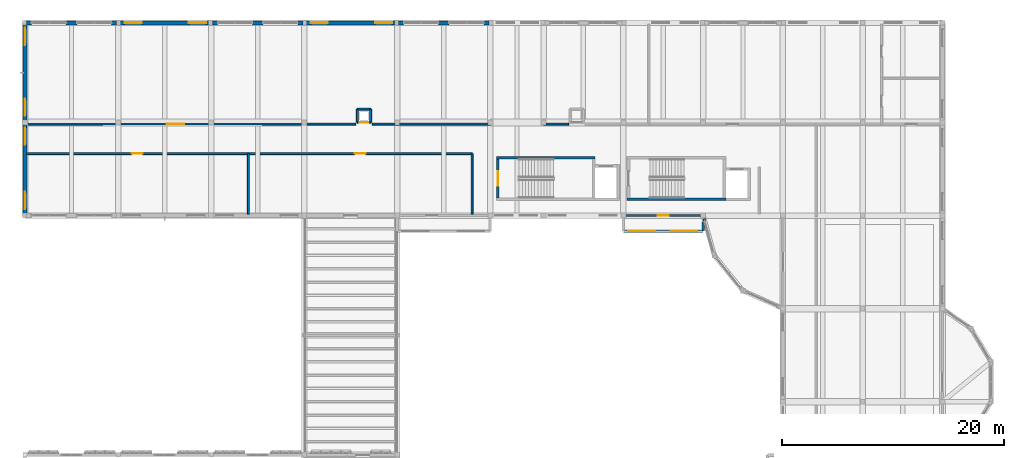
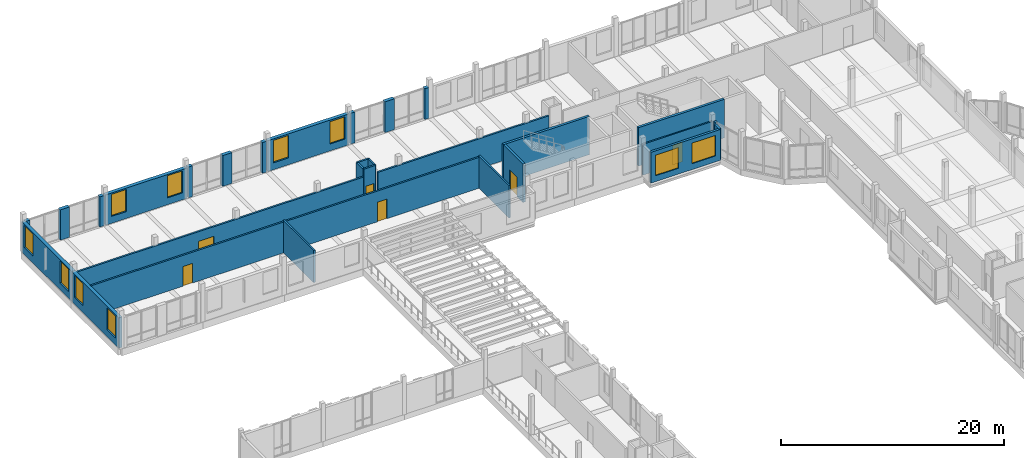
# One storey, part 71 of 99: 30 walls, 10 windows, 6 doors, 16 openings.
"""IFC4 building model written with IfcOpenShell, lengths in metres."""

from ifc_helpers import new_model, si_unit, direction, frame, frame_2d, origin, place, context, subcontext, project, spatial, rectangle, extrude, material, layer, layer_set, type_object, element, fill, save


model = new_model("IFC4")

# Units and contexts
model_context = context("Model", 3, precision=1e-05, world=origin(), true_north=direction((0.0, 1.0)))
body_context = subcontext(model_context, "Body", "Model", "MODEL_VIEW")
ifc_project = project(units=[si_unit("LENGTHUNIT", "METRE"), si_unit("AREAUNIT", "SQUARE_METRE"), si_unit("VOLUMEUNIT", "CUBIC_METRE"), si_unit("PLANEANGLEUNIT", "RADIAN"), si_unit("MASSUNIT", "GRAM", prefix="KILO")], contexts=[model_context])

# Site, building, storey
site_placement = place(None, origin())
site = spatial("IfcSite", under=ifc_project, at=site_placement, CompositionType="ELEMENT")
building_placement = place(site_placement, origin())
building = spatial("IfcBuilding", under=site, at=building_placement, Name="Kahlenmark Community Centre", CompositionType="ELEMENT")
storey_placement = place(building_placement, frame((0.0, 0.0, 5.39990234375)))
storey = spatial("IfcBuildingStorey", under=building, at=storey_placement, Name="L01", CompositionType="ELEMENT", Elevation=5.39990234375)

# Wall, opening, door
ifc_material_1 = material(Name="Concrete C35/45", Category="concrete")
ifc_layer_1 = layer(ifc_material_1, 0.25)
ifc_layer_set_1 = layer_set([ifc_layer_1], Name="Concrete C35/45")
wall_type_1 = type_object("IfcWallType", Name="WT-CORE-250", PredefinedType="SHEAR", material=ifc_layer_set_1)
wall_1_placement = place(storey_placement, frame((46.675048828125, 102.699951171875, 0.0), z_axis=(0.0, 0.0, 1.0), x_axis=(0.0, -1.0, 0.0)))
wall_1 = element("IfcWall", 1, at=wall_1_placement, inside=storey, type_object=wall_type_1, Name="Core K4 shear wall WL-CORE-K4-L01-0113", PredefinedType="SHEAR", context=body_context, shape_type="SweptSolid", body=[
    extrude(rectangle(XDim=3.5, YDim=0.25, at=frame_2d((1.75, 0.0))), origin(), (0.0, 0.0, 1.0), 4.2001953125),
])
opening_1_placement = place(wall_1_placement, frame((1.10009765625, 0.0, -0.010009765625)))
opening_1 = element("IfcOpeningElement", 2, at=opening_1_placement, cuts=wall_1, Name="Opening FD-K4-L01", PredefinedType="OPENING", context=body_context, shape_type="SweptSolid", body=[
    extrude(rectangle(XDim=1.300048828125, YDim=2.159912109375, at=frame_2d((0.64990234375, 1.080078125))), frame((0.0, 0.135009765625, 0.0), z_axis=(0.0, -1.0, 0.0), x_axis=(1.0, 0.0, 0.0)), (0.0, 0.0, 1.0), 0.27001953125),
])
ifc_material_2 = material(Name="Fire-rated steel-framed timber door FD60S", Category="steel")
door_type_1 = type_object("IfcDoorType", Name="DT-FD-K4-L01", OperationType="NOTDEFINED", PredefinedType="DOOR", material=ifc_material_2)
door_1_placement = place(opening_1_placement, frame((0.0, 0.0, 0.010009765625)))
door_1 = element("IfcDoor", 3, at=door_1_placement, inside=storey, type_object=door_type_1, Name="Core K4 stair fire door L01", OperationType="SINGLE_SWING_RIGHT", OverallHeight=2.14990234375, OverallWidth=1.300048828125, PredefinedType="DOOR", context=body_context, shape_type="SweptSolid", body=[
    extrude(rectangle(XDim=1.300048828125, YDim=2.14990234375, at=frame_2d((0.64990234375, 1.074951171875))), frame((0.0, 0.02490234375, 0.0), z_axis=(0.0, -1.0, 0.0), x_axis=(1.0, 0.0, 0.0)), (0.0, 0.0, 1.0), 0.050048828125),
])
fill(opening_1, door_1)

# Walls
for number, where, z_axis, x_axis, name in (
    (4, (46.550048828125, 102.824951171875, 0.0), (0.0, 0.0, 1.0), (1.0, 0.0, 0.0), "Core K4 shear wall WL-CORE-K4-L01-0115"),
    (5, (58.35009765625, 99.074951171875, 0.0), (0.0, 0.0, 1.0), (1.0, 0.0, 0.0), "Core K5 shear wall WL-CORE-K5-L01-0163"),
):
    element("IfcWall", number, at=place(storey_placement, frame(where, z_axis=z_axis, x_axis=x_axis)), inside=storey, type_object=wall_type_1, Name=name, PredefinedType="SHEAR", context=body_context, shape_type="SweptSolid", body=[
        extrude(rectangle(XDim=8.89990234375, YDim=0.25, at=frame_2d((4.449951171875, 0.0))), origin(), (0.0, 0.0, 1.0), 4.2001953125),
    ])
ifc_material_3 = material(Name="Cross-laminated timber CLT C24", Category="wood")
ifc_layer_2 = layer(ifc_material_3, 0.239990234375)
ifc_layer_set_2 = layer_set([ifc_layer_2], Name="Cross-laminated timber CLT C24")
wall_type_2 = type_object("IfcWallType", Name="WT-EW-240", PredefinedType="SOLIDWALL", material=ifc_layer_set_2)
wall_2_placement = place(storey_placement, frame((65.27490234375, 97.330078125, 0.0), z_axis=(0.0, 0.0, 1.0), x_axis=(0.267529355044, -0.963549710285, 0.0)))
element("IfcWall", 6, at=wall_2_placement, inside=storey, type_object=wall_type_2, Name="Rotunda pier closure 0774", PredefinedType="SOLIDWALL", context=body_context, shape_type="SweptSolid", body=[
    extrude(rectangle(XDim=0.219970703125, YDim=0.239990234375, at=frame_2d((0.10986328125, 0.0))), origin(), (0.0, 0.0, 1.0), 3.52001953125),
])

# Wall, openings, windows
wall_3_placement = place(storey_placement, frame((58.0, 96.199951171875, 0.0), z_axis=(0.0, 0.0, 1.0), x_axis=(1.0, 0.0, 0.0)))
wall_3 = element("IfcWall", 7, at=wall_3_placement, inside=storey, type_object=wall_type_2, Name="Bay oriel wall WL-ORI-L01-0833", PredefinedType="SOLIDWALL", context=body_context, shape_type="SweptSolid", body=[
    extrude(rectangle(XDim=7.199951171875, YDim=0.239990234375, at=frame_2d((3.60009765625, 0.0))), origin(), (0.0, 0.0, 1.0), 3.3701171875),
])
opening_2_placement = place(wall_3_placement, frame((0.4599609375, 0.0, 0.64990234375)))
opening_2 = element("IfcOpeningElement", 8, at=opening_2_placement, cuts=wall_3, Name="Opening W-240X225", PredefinedType="OPENING", context=body_context, shape_type="SweptSolid", body=[
    extrude(rectangle(XDim=2.39990234375, YDim=2.25, at=frame_2d((1.199951171875, 1.125))), frame((0.0, 0.1298828125, 0.0), z_axis=(0.0, -1.0, 0.0), x_axis=(1.0, 0.0, 0.0)), (0.0, 0.0, 1.0), 0.260009765625),
])
opening_3_placement = place(wall_3_placement, frame((4.260009765625, 0.0, 0.64990234375)))
opening_3 = element("IfcOpeningElement", 9, at=opening_3_placement, cuts=wall_3, Name="Opening W-240X225", PredefinedType="OPENING", context=body_context, shape_type="SweptSolid", body=[
    extrude(rectangle(XDim=2.39990234375, YDim=2.25, at=frame_2d((1.199951171875, 1.125))), frame((0.0, 0.1298828125, 0.0), z_axis=(0.0, -1.0, 0.0), x_axis=(1.0, 0.0, 0.0)), (0.0, 0.0, 1.0), 0.260009765625),
])
ifc_material_4 = material(Name="Triple low-e insulated glazing in timber-aluminium frame", Category="wood")
window_type_1 = type_object("IfcWindowType", Name="WNT-240X225", PartitioningType="TRIPLE_PANEL_VERTICAL", PredefinedType="WINDOW", material=ifc_material_4)
window_1_placement = place(opening_2_placement, origin())
window_1 = element("IfcWindow", 10, at=window_1_placement, inside=storey, type_object=window_type_1, Name="Window W-240X225 #0519", OverallHeight=2.25, OverallWidth=2.39990234375, PartitioningType="TRIPLE_PANEL_VERTICAL", PredefinedType="WINDOW", context=body_context, shape_type="SweptSolid", body=[
    extrude(rectangle(XDim=2.39990234375, YDim=2.25, at=frame_2d((1.199951171875, 1.125))), frame((0.0, 0.030029296875, 0.0), z_axis=(0.0, -1.0, 0.0), x_axis=(1.0, 0.0, 0.0)), (0.0, 0.0, 1.0), 0.06005859375),
])
fill(opening_2, window_1)
window_2_placement = place(opening_3_placement, origin())
window_2 = element("IfcWindow", 11, at=window_2_placement, inside=storey, type_object=window_type_1, Name="Window W-240X225 #0520", OverallHeight=2.25, OverallWidth=2.39990234375, PartitioningType="TRIPLE_PANEL_VERTICAL", PredefinedType="WINDOW", context=body_context, shape_type="SweptSolid", body=[
    extrude(rectangle(XDim=2.39990234375, YDim=2.25, at=frame_2d((1.199951171875, 1.125))), frame((0.0, 0.030029296875, 0.0), z_axis=(0.0, -1.0, 0.0), x_axis=(1.0, 0.0, 0.0)), (0.0, 0.0, 1.0), 0.06005859375),
])
fill(opening_3, window_2)

# Walls
wall_4_placement = place(storey_placement, frame((65.199951171875, 96.199951171875, 0.0), z_axis=(0.0, 0.0, 1.0), x_axis=(0.0, 1.0, 0.0)))
element("IfcWall", 12, at=wall_4_placement, inside=storey, type_object=wall_type_2, Name="Bay oriel wall WL-ORI-L01-0834", PredefinedType="SOLIDWALL", context=body_context, shape_type="SweptSolid", body=[
    extrude(rectangle(XDim=0.820068359375, YDim=0.239990234375, at=frame_2d((0.41015625, 0.0))), origin(), (0.0, 0.0, 1.0), 3.3701171875),
])
ifc_material_5 = material(Name="Danube limestone masonry", Category="masonry")
ifc_layer_3 = layer(ifc_material_5, 0.360107421875)
ifc_layer_set_3 = layer_set([ifc_layer_3], Name="Danube limestone masonry")
wall_type_3 = type_object("IfcWallType", Name="WT-EW-360", PredefinedType="SOLIDWALL", material=ifc_layer_set_3)
wall_5_placement = place(storey_placement, frame((8.679931640625, 115.0, 0.0), z_axis=(0.0, 0.0, 1.0), x_axis=(-1.0, 0.0, 0.0)))
element("IfcWall", 13, at=wall_5_placement, inside=storey, type_object=wall_type_3, Name="Postmodern limestone pier 0328", PredefinedType="SOLIDWALL", context=body_context, shape_type="SweptSolid", body=[
    extrude(rectangle(XDim=0.9599609375, YDim=0.360107421875, at=frame_2d((0.47998046875, 0.0))), origin(), (0.0, 0.0, 1.0), 3.31005859375),
])
wall_6_placement = place(storey_placement, frame((12.27001953125, 115.0, 0.0), z_axis=(0.0, 0.0, 1.0), x_axis=(-1.0, 0.0, 0.0)))
element("IfcWall", 14, at=wall_6_placement, inside=storey, type_object=wall_type_3, Name="Column closure pier 0329", PredefinedType="SOLIDWALL", context=body_context, shape_type="SweptSolid", body=[
    extrude(rectangle(XDim=0.449951171875, YDim=0.360107421875, at=frame_2d((0.22509765625, 0.0))), origin(), (0.0, 0.0, 1.0), 3.31005859375),
])
wall_7_placement = place(storey_placement, frame((4.580078125, 115.0, 0.0), z_axis=(0.0, 0.0, 1.0), x_axis=(-1.0, 0.0, 0.0)))
element("IfcWall", 15, at=wall_7_placement, inside=storey, type_object=wall_type_3, Name="Column closure pier 0330", PredefinedType="SOLIDWALL", context=body_context, shape_type="SweptSolid", body=[
    extrude(rectangle(XDim=0.4501953125, YDim=0.360107421875, at=frame_2d((0.22509765625, 0.0))), origin(), (0.0, 0.0, 1.0), 3.31005859375),
])

# Wall, openings, windows
wall_8_placement = place(storey_placement, frame((20.800048828125, 115.0, 0.0), z_axis=(0.0, 0.0, 1.0), x_axis=(-1.0, 0.0, 0.0)))
wall_8 = element("IfcWall", 16, at=wall_8_placement, inside=storey, type_object=wall_type_3, Name="Exterior wall WL-EXT-L01-0331", PredefinedType="SOLIDWALL", context=body_context, shape_type="SweptSolid", body=[
    extrude(rectangle(XDim=8.400146484375, YDim=0.360107421875, at=frame_2d((4.2001953125, 0.0))), origin(), (0.0, 0.0, 1.0), 3.31005859375),
])
opening_4_placement = place(wall_8_placement, frame((0.4599609375, 0.0, 0.75)))
opening_4 = element("IfcOpeningElement", 17, at=opening_4_placement, cuts=wall_8, Name="Opening W-155X242", PredefinedType="OPENING", context=body_context, shape_type="SweptSolid", body=[
    extrude(rectangle(XDim=1.550048828125, YDim=2.419921875, at=frame_2d((0.77490234375, 1.2099609375))), frame((0.0, 0.18994140625, 0.0), z_axis=(0.0, -1.0, 0.0), x_axis=(1.0, 0.0, 0.0)), (0.0, 0.0, 1.0), 0.380126953125),
])
opening_5_placement = place(wall_8_placement, frame((6.260009765625, 0.0, 0.75)))
opening_5 = element("IfcOpeningElement", 18, at=opening_5_placement, cuts=wall_8, Name="Opening W-155X242", PredefinedType="OPENING", context=body_context, shape_type="SweptSolid", body=[
    extrude(rectangle(XDim=1.550048828125, YDim=2.419921875, at=frame_2d((0.77490234375, 1.2099609375))), frame((0.0, 0.18994140625, 0.0), z_axis=(0.0, -1.0, 0.0), x_axis=(1.0, 0.0, 0.0)), (0.0, 0.0, 1.0), 0.380126953125),
])
ifc_material_6 = material(Name="Deep-reveal limestone punched triple glazing", Category="masonry")
window_type_2 = type_object("IfcWindowType", Name="WNT-155X242", PartitioningType="DOUBLE_PANEL_HORIZONTAL", PredefinedType="WINDOW", material=ifc_material_6)
window_3_placement = place(opening_4_placement, origin())
window_3 = element("IfcWindow", 19, at=window_3_placement, inside=storey, type_object=window_type_2, Name="Window W-155X242 #0193", OverallHeight=2.419921875, OverallWidth=1.550048828125, PartitioningType="DOUBLE_PANEL_HORIZONTAL", PredefinedType="WINDOW", context=body_context, shape_type="SweptSolid", body=[
    extrude(rectangle(XDim=1.550048828125, YDim=2.419921875, at=frame_2d((0.77490234375, 1.2099609375))), frame((0.0, 0.030029296875, 0.0), z_axis=(0.0, -1.0, 0.0), x_axis=(1.0, 0.0, 0.0)), (0.0, 0.0, 1.0), 0.06005859375),
])
fill(opening_4, window_3)
window_4_placement = place(opening_5_placement, origin())
window_4 = element("IfcWindow", 20, at=window_4_placement, inside=storey, type_object=window_type_2, Name="Window W-155X242 #0194", OverallHeight=2.419921875, OverallWidth=1.550048828125, PartitioningType="DOUBLE_PANEL_HORIZONTAL", PredefinedType="WINDOW", context=body_context, shape_type="SweptSolid", body=[
    extrude(rectangle(XDim=1.550048828125, YDim=2.419921875, at=frame_2d((0.77490234375, 1.2099609375))), frame((0.0, 0.030029296875, 0.0), z_axis=(0.0, -1.0, 0.0), x_axis=(1.0, 0.0, 0.0)), (0.0, 0.0, 1.0), 0.06005859375),
])
fill(opening_5, window_4)

# Walls
wall_9_placement = place(storey_placement, frame((25.47998046875, 115.0, 0.0), z_axis=(0.0, 0.0, 1.0), x_axis=(-1.0, 0.0, 0.0)))
element("IfcWall", 21, at=wall_9_placement, inside=storey, type_object=wall_type_3, Name="Postmodern limestone pier 0332", PredefinedType="SOLIDWALL", context=body_context, shape_type="SweptSolid", body=[
    extrude(rectangle(XDim=0.9599609375, YDim=0.360107421875, at=frame_2d((0.47998046875, 0.0))), origin(), (0.0, 0.0, 1.0), 3.3701171875),
])
for number, where, z_axis, x_axis, name in (
    (22, (29.070068359375, 115.0, 0.0), (0.0, 0.0, 1.0), (-1.0, 0.0, 0.0), "Column closure pier 0333"),
    (23, (21.3798828125, 115.0, 0.0), (0.0, 0.0, 1.0), (-1.0, 0.0, 0.0), "Column closure pier 0334"),
):
    element("IfcWall", number, at=place(storey_placement, frame(where, z_axis=z_axis, x_axis=x_axis)), inside=storey, type_object=wall_type_3, Name=name, PredefinedType="SOLIDWALL", context=body_context, shape_type="SweptSolid", body=[
        extrude(rectangle(XDim=0.449951171875, YDim=0.360107421875, at=frame_2d((0.22509765625, 0.0))), origin(), (0.0, 0.0, 1.0), 3.3701171875),
    ])

# Wall, openings, windows
wall_10_placement = place(storey_placement, frame((37.60009765625, 115.0, 0.0), z_axis=(0.0, 0.0, 1.0), x_axis=(-1.0, 0.0, 0.0)))
wall_10 = element("IfcWall", 24, at=wall_10_placement, inside=storey, type_object=wall_type_3, Name="Exterior wall WL-EXT-L01-0335", PredefinedType="SOLIDWALL", context=body_context, shape_type="SweptSolid", body=[
    extrude(rectangle(XDim=8.400146484375, YDim=0.360107421875, at=frame_2d((4.2001953125, 0.0))), origin(), (0.0, 0.0, 1.0), 3.3701171875),
])
opening_6_placement = place(wall_10_placement, frame((0.4599609375, 0.0, 0.75)))
opening_6 = element("IfcOpeningElement", 25, at=opening_6_placement, cuts=wall_10, Name="Opening W-155X245", PredefinedType="OPENING", context=body_context, shape_type="SweptSolid", body=[
    extrude(rectangle(XDim=1.550048828125, YDim=2.449951171875, at=frame_2d((0.77490234375, 1.22509765625))), frame((0.0, 0.18994140625, 0.0), z_axis=(0.0, -1.0, 0.0), x_axis=(1.0, 0.0, 0.0)), (0.0, 0.0, 1.0), 0.380126953125),
])
opening_7_placement = place(wall_10_placement, frame((6.260009765625, 0.0, 0.75)))
opening_7 = element("IfcOpeningElement", 26, at=opening_7_placement, cuts=wall_10, Name="Opening W-155X245", PredefinedType="OPENING", context=body_context, shape_type="SweptSolid", body=[
    extrude(rectangle(XDim=1.550048828125, YDim=2.449951171875, at=frame_2d((0.77490234375, 1.22509765625))), frame((0.0, 0.18994140625, 0.0), z_axis=(0.0, -1.0, 0.0), x_axis=(1.0, 0.0, 0.0)), (0.0, 0.0, 1.0), 0.380126953125),
])
window_type_3 = type_object("IfcWindowType", Name="WNT-155X245", PartitioningType="DOUBLE_PANEL_HORIZONTAL", PredefinedType="WINDOW", material=ifc_material_6)
window_5_placement = place(opening_6_placement, origin())
window_5 = element("IfcWindow", 27, at=window_5_placement, inside=storey, type_object=window_type_3, Name="Window W-155X245 #0195", OverallHeight=2.449951171875, OverallWidth=1.550048828125, PartitioningType="DOUBLE_PANEL_HORIZONTAL", PredefinedType="WINDOW", context=body_context, shape_type="SweptSolid", body=[
    extrude(rectangle(XDim=1.550048828125, YDim=2.449951171875, at=frame_2d((0.77490234375, 1.22509765625))), frame((0.0, 0.030029296875, 0.0), z_axis=(0.0, -1.0, 0.0), x_axis=(1.0, 0.0, 0.0)), (0.0, 0.0, 1.0), 0.06005859375),
])
fill(opening_6, window_5)
window_6_placement = place(opening_7_placement, origin())
window_6 = element("IfcWindow", 28, at=window_6_placement, inside=storey, type_object=window_type_3, Name="Window W-155X245 #0196", OverallHeight=2.449951171875, OverallWidth=1.550048828125, PartitioningType="DOUBLE_PANEL_HORIZONTAL", PredefinedType="WINDOW", context=body_context, shape_type="SweptSolid", body=[
    extrude(rectangle(XDim=1.550048828125, YDim=2.449951171875, at=frame_2d((0.77490234375, 1.22509765625))), frame((0.0, 0.030029296875, 0.0), z_axis=(0.0, -1.0, 0.0), x_axis=(1.0, 0.0, 0.0)), (0.0, 0.0, 1.0), 0.06005859375),
])
fill(opening_7, window_6)

# Walls
wall_11_placement = place(storey_placement, frame((42.280029296875, 115.0, 0.0), z_axis=(0.0, 0.0, 1.0), x_axis=(-1.0, 0.0, 0.0)))
element("IfcWall", 29, at=wall_11_placement, inside=storey, type_object=wall_type_3, Name="Postmodern limestone pier 0336", PredefinedType="SOLIDWALL", context=body_context, shape_type="SweptSolid", body=[
    extrude(rectangle(XDim=0.9599609375, YDim=0.360107421875, at=frame_2d((0.47998046875, 0.0))), origin(), (0.0, 0.0, 1.0), 3.3701171875),
])
wall_12_placement = place(storey_placement, frame((45.8701171875, 115.0, 0.0), z_axis=(0.0, 0.0, 1.0), x_axis=(-1.0, 0.0, 0.0)))
element("IfcWall", 30, at=wall_12_placement, inside=storey, type_object=wall_type_3, Name="Column closure pier 0337", PredefinedType="SOLIDWALL", context=body_context, shape_type="SweptSolid", body=[
    extrude(rectangle(XDim=0.4501953125, YDim=0.360107421875, at=frame_2d((0.22509765625, 0.0))), origin(), (0.0, 0.0, 1.0), 3.3701171875),
])
wall_13_placement = place(storey_placement, frame((38.179931640625, 115.0, 0.0), z_axis=(0.0, 0.0, 1.0), x_axis=(-1.0, 0.0, 0.0)))
element("IfcWall", 31, at=wall_13_placement, inside=storey, type_object=wall_type_3, Name="Column closure pier 0338", PredefinedType="SOLIDWALL", context=body_context, shape_type="SweptSolid", body=[
    extrude(rectangle(XDim=0.449951171875, YDim=0.360107421875, at=frame_2d((0.22509765625, 0.0))), origin(), (0.0, 0.0, 1.0), 3.3701171875),
])

# Wall, openings, windows
wall_14_placement = place(storey_placement, frame((4.0, 106.0, 0.0), z_axis=(0.0, 0.0, 1.0), x_axis=(0.0, -1.0, 0.0)))
wall_14 = element("IfcWall", 32, at=wall_14_placement, inside=storey, type_object=wall_type_3, Name="Exterior wall WL-EXT-L01-0349", PredefinedType="SOLIDWALL", context=body_context, shape_type="SweptSolid", body=[
    extrude(rectangle(XDim=8.39990234375, YDim=0.360107421875, at=frame_2d((4.199951171875, 0.0))), origin(), (0.0, 0.0, 1.0), 3.31005859375),
])
opening_8_placement = place(wall_14_placement, frame((0.4599609375, 0.0, 0.75)))
opening_8 = element("IfcOpeningElement", 33, at=opening_8_placement, cuts=wall_14, Name="Opening W-155X242", PredefinedType="OPENING", context=body_context, shape_type="SweptSolid", body=[
    extrude(rectangle(XDim=1.550048828125, YDim=2.419921875, at=frame_2d((0.77490234375, 1.2099609375))), frame((0.0, 0.18994140625, 0.0), z_axis=(0.0, -1.0, 0.0), x_axis=(1.0, 0.0, 0.0)), (0.0, 0.0, 1.0), 0.380126953125),
])
opening_9_placement = place(wall_14_placement, frame((6.260009765625, 0.0, 0.75)))
opening_9 = element("IfcOpeningElement", 34, at=opening_9_placement, cuts=wall_14, Name="Opening W-155X242", PredefinedType="OPENING", context=body_context, shape_type="SweptSolid", body=[
    extrude(rectangle(XDim=1.550048828125, YDim=2.419921875, at=frame_2d((0.77490234375, 1.2099609375))), frame((0.0, 0.18994140625, 0.0), z_axis=(0.0, -1.0, 0.0), x_axis=(1.0, 0.0, 0.0)), (0.0, 0.0, 1.0), 0.380126953125),
])
window_7_placement = place(opening_8_placement, origin())
window_7 = element("IfcWindow", 35, at=window_7_placement, inside=storey, type_object=window_type_2, Name="Window W-155X242 #0205", OverallHeight=2.419921875, OverallWidth=1.550048828125, PartitioningType="DOUBLE_PANEL_HORIZONTAL", PredefinedType="WINDOW", context=body_context, shape_type="SweptSolid", body=[
    extrude(rectangle(XDim=1.550048828125, YDim=2.419921875, at=frame_2d((0.77490234375, 1.2099609375))), frame((0.0, 0.030029296875, 0.0), z_axis=(0.0, -1.0, 0.0), x_axis=(1.0, 0.0, 0.0)), (0.0, 0.0, 1.0), 0.06005859375),
])
fill(opening_8, window_7)
window_8_placement = place(opening_9_placement, origin())
window_8 = element("IfcWindow", 36, at=window_8_placement, inside=storey, type_object=window_type_2, Name="Window W-155X242 #0206", OverallHeight=2.419921875, OverallWidth=1.550048828125, PartitioningType="DOUBLE_PANEL_HORIZONTAL", PredefinedType="WINDOW", context=body_context, shape_type="SweptSolid", body=[
    extrude(rectangle(XDim=1.550048828125, YDim=2.419921875, at=frame_2d((0.77490234375, 1.2099609375))), frame((0.0, 0.030029296875, 0.0), z_axis=(0.0, -1.0, 0.0), x_axis=(1.0, 0.0, 0.0)), (0.0, 0.0, 1.0), 0.06005859375),
])
fill(opening_9, window_8)

wall_15_placement = place(storey_placement, frame((4.0, 115.0, 0.0), z_axis=(0.0, 0.0, 1.0), x_axis=(0.0, -1.0, 0.0)))
wall_15 = element("IfcWall", 37, at=wall_15_placement, inside=storey, type_object=wall_type_3, Name="Exterior wall WL-EXT-L01-0350", PredefinedType="SOLIDWALL", context=body_context, shape_type="SweptSolid", body=[
    extrude(rectangle(XDim=9.0, YDim=0.360107421875, at=frame_2d((4.5, 0.0))), origin(), (0.0, 0.0, 1.0), 3.31005859375),
])
opening_10_placement = place(wall_15_placement, frame((0.4599609375, 0.0, 0.75)))
opening_10 = element("IfcOpeningElement", 38, at=opening_10_placement, cuts=wall_15, Name="Opening W-155X242", PredefinedType="OPENING", context=body_context, shape_type="SweptSolid", body=[
    extrude(rectangle(XDim=1.550048828125, YDim=2.419921875, at=frame_2d((0.77490234375, 1.2099609375))), frame((0.0, 0.18994140625, 0.0), z_axis=(0.0, -1.0, 0.0), x_axis=(1.0, 0.0, 0.0)), (0.0, 0.0, 1.0), 0.380126953125),
])
opening_11_placement = place(wall_15_placement, frame((6.860107421875, 0.0, 0.75)))
opening_11 = element("IfcOpeningElement", 39, at=opening_11_placement, cuts=wall_15, Name="Opening W-155X242", PredefinedType="OPENING", context=body_context, shape_type="SweptSolid", body=[
    extrude(rectangle(XDim=1.550048828125, YDim=2.419921875, at=frame_2d((0.77490234375, 1.2099609375))), frame((0.0, 0.18994140625, 0.0), z_axis=(0.0, -1.0, 0.0), x_axis=(1.0, 0.0, 0.0)), (0.0, 0.0, 1.0), 0.380126953125),
])
window_9_placement = place(opening_10_placement, origin())
window_9 = element("IfcWindow", 40, at=window_9_placement, inside=storey, type_object=window_type_2, Name="Window W-155X242 #0207", OverallHeight=2.419921875, OverallWidth=1.550048828125, PartitioningType="DOUBLE_PANEL_HORIZONTAL", PredefinedType="WINDOW", context=body_context, shape_type="SweptSolid", body=[
    extrude(rectangle(XDim=1.550048828125, YDim=2.419921875, at=frame_2d((0.77490234375, 1.2099609375))), frame((0.0, 0.030029296875, 0.0), z_axis=(0.0, -1.0, 0.0), x_axis=(1.0, 0.0, 0.0)), (0.0, 0.0, 1.0), 0.06005859375),
])
fill(opening_10, window_9)
window_10_placement = place(opening_11_placement, origin())
window_10 = element("IfcWindow", 41, at=window_10_placement, inside=storey, type_object=window_type_2, Name="Window W-155X242 #0208", OverallHeight=2.419921875, OverallWidth=1.550048828125, PartitioningType="DOUBLE_PANEL_HORIZONTAL", PredefinedType="WINDOW", context=body_context, shape_type="SweptSolid", body=[
    extrude(rectangle(XDim=1.550048828125, YDim=2.419921875, at=frame_2d((0.77490234375, 1.2099609375))), frame((0.0, 0.030029296875, 0.0), z_axis=(0.0, -1.0, 0.0), x_axis=(1.0, 0.0, 0.0)), (0.0, 0.0, 1.0), 0.06005859375),
])
fill(opening_11, window_10)

# Wall, opening, door
ifc_material_7 = material(Name="Gypsum plasterboard partition", Category="gypsum")
ifc_layer_4 = layer(ifc_material_7, 0.14990234375)
ifc_layer_set_4 = layer_set([ifc_layer_4], Name="Gypsum plasterboard partition")
wall_type_4 = type_object("IfcWallType", Name="WT-PW-150", PredefinedType="PARTITIONING", material=ifc_layer_set_4)
wall_16_placement = place(storey_placement, frame((58.0, 97.60009765625, 0.0), z_axis=(0.0, 0.0, 1.0), x_axis=(1.0, 0.0, 0.0)))
wall_16 = element("IfcWall", 42, at=wall_16_placement, inside=storey, type_object=wall_type_4, Name="Interior partition WL-INT-L01-0142", PredefinedType="PARTITIONING", context=body_context, shape_type="SweptSolid", body=[
    extrude(rectangle(XDim=7.199951171875, YDim=0.14990234375, at=frame_2d((3.60009765625, 0.0))), origin(), (0.0, 0.0, 1.0), 3.3701171875),
])
opening_12_placement = place(wall_16_placement, frame((3.10009765625, 0.0, -0.010009765625)))
opening_12 = element("IfcOpeningElement", 43, at=opening_12_placement, cuts=wall_16, Name="Opening D-L01-084", PredefinedType="OPENING", context=body_context, shape_type="SweptSolid", body=[
    extrude(rectangle(XDim=1.0, YDim=2.159912109375, at=frame_2d((0.5, 1.080078125))), frame((0.0, 0.0849609375, 0.0), z_axis=(0.0, -1.0, 0.0), x_axis=(1.0, 0.0, 0.0)), (0.0, 0.0, 1.0), 0.169921875),
])
ifc_material_8 = material(Name="Oak timber veneer door leaf", Category="wood")
door_type_2 = type_object("IfcDoorType", Name="DT-INT-100X215", OperationType="NOTDEFINED", PredefinedType="DOOR", material=ifc_material_8)
door_2_placement = place(opening_12_placement, frame((1.0, 0.0, 0.010009765625), z_axis=(0.0, 0.0, 1.0), x_axis=(-1.0, 0.0, 0.0)))
door_2 = element("IfcDoor", 44, at=door_2_placement, inside=storey, type_object=door_type_2, Name="Interior door D-L01-084", OperationType="SINGLE_SWING_LEFT", OverallHeight=2.14990234375, OverallWidth=1.0, PredefinedType="DOOR", context=body_context, shape_type="SweptSolid", body=[
    extrude(rectangle(XDim=1.0, YDim=2.14990234375, at=frame_2d((0.5, 1.074951171875))), frame((0.0, 0.02490234375, 0.0), z_axis=(0.0, -1.0, 0.0), x_axis=(1.0, 0.0, 0.0)), (0.0, 0.0, 1.0), 0.050048828125),
])
fill(opening_12, door_2)

ifc_layer_5 = layer(ifc_material_7, 0.179931640625)
ifc_layer_set_5 = layer_set([ifc_layer_5], Name="Gypsum plasterboard partition")
wall_type_5 = type_object("IfcWallType", Name="WT-PW-180", PredefinedType="PARTITIONING", material=ifc_layer_set_5)
wall_17_placement = place(storey_placement, frame((4.139892578125, 103.199951171875, 0.0), z_axis=(0.0, 0.0, 1.0), x_axis=(1.0, 0.0, 0.0)))
wall_17 = element("IfcWall", 45, at=wall_17_placement, inside=storey, type_object=wall_type_5, Name="Interior partition WL-INT-L01-0136", PredefinedType="PARTITIONING", context=body_context, shape_type="SweptSolid", body=[
    extrude(rectangle(XDim=20.010009765625, YDim=0.179931640625, at=frame_2d((10.0048828125, 0.0))), origin(), (0.0, 0.0, 1.0), 3.3701171875),
])
opening_13_placement = place(wall_17_placement, frame((9.5048828125, 0.0, -0.010009765625)))
opening_13 = element("IfcOpeningElement", 46, at=opening_13_placement, cuts=wall_17, Name="Opening D-L01-080", PredefinedType="OPENING", context=body_context, shape_type="SweptSolid", body=[
    extrude(rectangle(XDim=1.0, YDim=2.159912109375, at=frame_2d((0.5, 1.080078125))), frame((0.0, 0.099853515625, 0.0), z_axis=(0.0, -1.0, 0.0), x_axis=(1.0, 0.0, 0.0)), (0.0, 0.0, 1.0), 0.199951171875),
])
door_3_placement = place(opening_13_placement, frame((0.0, 0.0, 0.010009765625)))
door_3 = element("IfcDoor", 47, at=door_3_placement, inside=storey, type_object=door_type_2, Name="Interior door D-L01-080", OperationType="SINGLE_SWING_LEFT", OverallHeight=2.14990234375, OverallWidth=1.0, PredefinedType="DOOR", context=body_context, shape_type="SweptSolid", body=[
    extrude(rectangle(XDim=1.0, YDim=2.14990234375, at=frame_2d((0.5, 1.074951171875))), frame((0.0, 0.02490234375, 0.0), z_axis=(0.0, -1.0, 0.0), x_axis=(1.0, 0.0, 0.0)), (0.0, 0.0, 1.0), 0.050048828125),
])
fill(opening_13, door_3)

wall_18_placement = place(storey_placement, frame((24.14990234375, 103.199951171875, 0.0), z_axis=(0.0, 0.0, 1.0), x_axis=(1.0, 0.0, 0.0)))
wall_18 = element("IfcWall", 48, at=wall_18_placement, inside=storey, type_object=wall_type_5, Name="Interior partition WL-INT-L01-0137", PredefinedType="PARTITIONING", context=body_context, shape_type="SweptSolid", body=[
    extrude(rectangle(XDim=20.2001953125, YDim=0.179931640625, at=frame_2d((10.10009765625, 0.0))), origin(), (0.0, 0.0, 1.0), 3.3701171875),
])
opening_14_placement = place(wall_18_placement, frame((9.60009765625, 0.0, -0.010009765625)))
opening_14 = element("IfcOpeningElement", 49, at=opening_14_placement, cuts=wall_18, Name="Opening D-L01-081", PredefinedType="OPENING", context=body_context, shape_type="SweptSolid", body=[
    extrude(rectangle(XDim=1.0, YDim=2.159912109375, at=frame_2d((0.5, 1.080078125))), frame((0.0, 0.099853515625, 0.0), z_axis=(0.0, -1.0, 0.0), x_axis=(1.0, 0.0, 0.0)), (0.0, 0.0, 1.0), 0.199951171875),
])
door_4_placement = place(opening_14_placement, frame((1.0, 0.0, 0.010009765625), z_axis=(0.0, 0.0, 1.0), x_axis=(-1.0, 0.0, 0.0)))
door_4 = element("IfcDoor", 50, at=door_4_placement, inside=storey, type_object=door_type_2, Name="Interior door D-L01-081", OperationType="SINGLE_SWING_RIGHT", OverallHeight=2.14990234375, OverallWidth=1.0, PredefinedType="DOOR", context=body_context, shape_type="SweptSolid", body=[
    extrude(rectangle(XDim=1.0, YDim=2.14990234375, at=frame_2d((0.5, 1.074951171875))), frame((0.0, 0.02490234375, 0.0), z_axis=(0.0, -1.0, 0.0), x_axis=(1.0, 0.0, 0.0)), (0.0, 0.0, 1.0), 0.050048828125),
])
fill(opening_14, door_4)

# Walls
for number, where, z_axis, x_axis, name in (
    (51, (24.14990234375, 97.739990234375, 0.0), (0.0, 0.0, 1.0), (0.0, 1.0, 0.0), "Interior partition WL-INT-L01-0138"),
    (52, (44.35009765625, 97.739990234375, 0.0), (0.0, 0.0, 1.0), (0.0, 1.0, 0.0), "Interior partition WL-INT-L01-0139"),
):
    element("IfcWall", number, at=place(storey_placement, frame(where, z_axis=z_axis, x_axis=x_axis)), inside=storey, type_object=wall_type_5, Name=name, PredefinedType="PARTITIONING", context=body_context, shape_type="SweptSolid", body=[
        extrude(rectangle(XDim=5.4599609375, YDim=0.179931640625, at=frame_2d((2.72998046875, 0.0))), origin(), (0.0, 0.0, 1.0), 3.52001953125),
    ])

# Wall, opening, door
wall_19_placement = place(storey_placement, frame((4.139892578125, 105.85009765625, 0.0), z_axis=(0.0, 0.0, 1.0), x_axis=(1.0, 0.0, 0.0)))
wall_19 = element("IfcWall", 53, at=wall_19_placement, inside=storey, type_object=wall_type_5, Name="Interior partition WL-INT-L01-0145", PredefinedType="PARTITIONING", context=body_context, shape_type="SweptSolid", body=[
    extrude(rectangle(XDim=29.710205078125, YDim=0.179931640625, at=frame_2d((14.85498046875, 0.0))), origin(), (0.0, 0.0, 1.0), 3.25),
])
opening_15_placement = place(wall_19_placement, frame((12.64892578125, 0.0, -0.010009765625)))
opening_15 = element("IfcOpeningElement", 54, at=opening_15_placement, cuts=wall_19, Name="Opening D-L01-086", PredefinedType="OPENING", context=body_context, shape_type="SweptSolid", body=[
    extrude(rectangle(XDim=1.60009765625, YDim=2.2099609375, at=frame_2d((0.800048828125, 1.10498046875))), frame((0.0, 0.099853515625, 0.0), z_axis=(0.0, -1.0, 0.0), x_axis=(1.0, 0.0, 0.0)), (0.0, 0.0, 1.0), 0.199951171875),
])
ifc_material_9 = material(Name="Oak double-leaf acoustic door")
door_type_3 = type_object("IfcDoorType", Name="DT-DBL-160X220", OperationType="NOTDEFINED", PredefinedType="DOOR", material=ifc_material_9)
door_5_placement = place(opening_15_placement, frame((0.0, 0.0, 0.010009765625)))
door_5 = element("IfcDoor", 55, at=door_5_placement, inside=storey, type_object=door_type_3, Name="Interior door D-L01-086", OperationType="DOUBLE_SWING_LEFT", OverallHeight=2.199951171875, OverallWidth=1.60009765625, PredefinedType="DOOR", context=body_context, shape_type="SweptSolid", body=[
    extrude(rectangle(XDim=1.60009765625, YDim=2.199951171875, at=frame_2d((0.800048828125, 1.10009765625))), frame((0.0, 0.02490234375, 0.0), z_axis=(0.0, -1.0, 0.0), x_axis=(1.0, 0.0, 0.0)), (0.0, 0.0, 1.0), 0.050048828125),
])
fill(opening_15, door_5)

# Wall
wall_20_placement = place(storey_placement, frame((35.35009765625, 105.85009765625, 0.0), z_axis=(0.0, 0.0, 1.0), x_axis=(1.0, 0.0, 0.0)))
element("IfcWall", 56, at=wall_20_placement, inside=storey, type_object=wall_type_5, Name="Interior partition WL-INT-L01-0146", PredefinedType="PARTITIONING", context=body_context, shape_type="SweptSolid", body=[
    extrude(rectangle(XDim=17.699951171875, YDim=0.179931640625, at=frame_2d((8.85009765625, 0.0))), origin(), (0.0, 0.0, 1.0), 3.25),
])

# Wall, opening, door
ifc_material_10 = material(Name="Masonry blockwork", Category="masonry")
ifc_layer_6 = layer(ifc_material_10, 0.179931640625)
ifc_layer_set_6 = layer_set([ifc_layer_6], Name="Masonry blockwork")
wall_type_6 = type_object("IfcWallType", Name="WT-RISER-180", PredefinedType="SOLIDWALL", material=ifc_layer_set_6)
wall_21_placement = place(storey_placement, frame((34.0, 106.0, 0.0), z_axis=(0.0, 0.0, 1.0), x_axis=(1.0, 0.0, 0.0)))
wall_21 = element("IfcWall", 57, at=wall_21_placement, inside=storey, type_object=wall_type_6, Name="Riser RS-06 shaft wall L01.1", PredefinedType="SOLIDWALL", context=body_context, shape_type="SweptSolid", body=[
    extrude(rectangle(XDim=1.199951171875, YDim=0.179931640625, at=frame_2d((0.60009765625, 0.0))), origin(), (0.0, 0.0, 1.0), 3.97021484375),
])
opening_16_placement = place(wall_21_placement, frame((0.199951171875, 0.0, -0.010009765625)))
opening_16 = element("IfcOpeningElement", 58, at=opening_16_placement, cuts=wall_21, Name="Opening FD-RS80", PredefinedType="OPENING", context=body_context, shape_type="SweptSolid", body=[
    extrude(rectangle(XDim=0.800048828125, YDim=2.06005859375, at=frame_2d((0.39990234375, 1.030029296875))), frame((0.0, 0.099853515625, 0.0), z_axis=(0.0, -1.0, 0.0), x_axis=(1.0, 0.0, 0.0)), (0.0, 0.0, 1.0), 0.199951171875),
])
ifc_material_11 = material(Name="Fire-rated steel service riser door FD60S", Category="steel")
door_type_4 = type_object("IfcDoorType", Name="DT-RISER-80X205", OperationType="NOTDEFINED", PredefinedType="DOOR", material=ifc_material_11)
door_6_placement = place(opening_16_placement, frame((0.0, 0.0, 0.010009765625)))
door_6 = element("IfcDoor", 59, at=door_6_placement, inside=storey, type_object=door_type_4, Name="Riser RS-06 access door L01", OperationType="SINGLE_SWING_LEFT", OverallHeight=2.050048828125, OverallWidth=0.800048828125, PredefinedType="DOOR", context=body_context, shape_type="SweptSolid", body=[
    extrude(rectangle(XDim=0.800048828125, YDim=2.050048828125, at=frame_2d((0.39990234375, 1.02490234375))), frame((0.0, 0.02490234375, 0.0), z_axis=(0.0, -1.0, 0.0), x_axis=(1.0, 0.0, 0.0)), (0.0, 0.0, 1.0), 0.050048828125),
])
fill(opening_16, door_6)

# Walls
for number, where, z_axis, x_axis, name in (
    (60, (35.199951171875, 106.0, 0.0), (0.0, 0.0, 1.0), (0.0, 1.0, 0.0), "Riser RS-06 shaft wall L01.2"),
    (61, (35.199951171875, 107.199951171875, 0.0), (0.0, 0.0, 1.0), (-1.0, 0.0, 0.0), "Riser RS-06 shaft wall L01.3"),
    (62, (34.0, 107.199951171875, 0.0), (0.0, 0.0, 1.0), (0.0, -1.0, 0.0), "Riser RS-06 shaft wall L01.4"),
):
    element("IfcWall", number, at=place(storey_placement, frame(where, z_axis=z_axis, x_axis=x_axis)), inside=storey, type_object=wall_type_6, Name=name, PredefinedType="SOLIDWALL", context=body_context, shape_type="SweptSolid", body=[
        extrude(rectangle(XDim=1.199951171875, YDim=0.179931640625, at=frame_2d((0.60009765625, 0.0))), origin(), (0.0, 0.0, 1.0), 3.97021484375),
    ])

save(model, "model.ifc")
